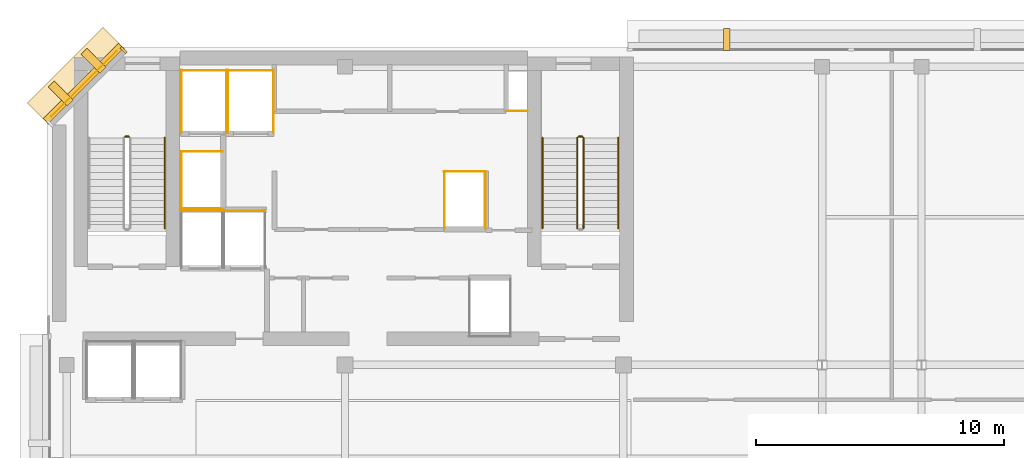
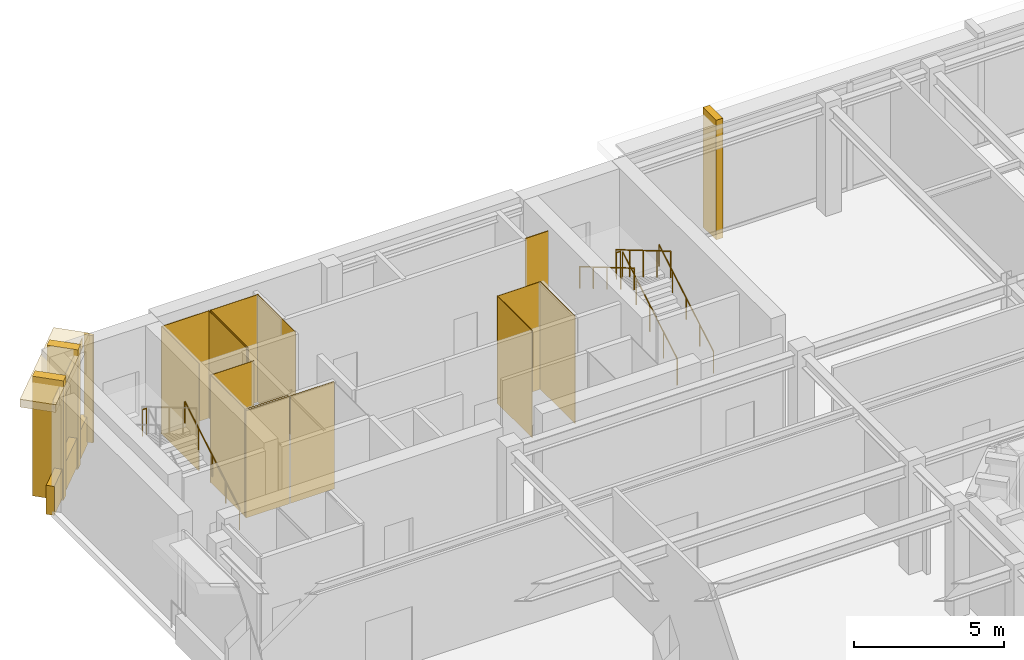
# One storey, part 10 of 11: 22 coverings, 7 railings.
"""IFC4 building model written with IfcOpenShell, lengths in metres."""

from ifc_helpers import new_model, si_unit, direction, frame, origin, origin_2d, place, context, subcontext, project, spatial, polyline, rectangle, circle, outline, extrude, material, layer, layer_set, type_object, element, save


model = new_model("IFC4")

# Units and contexts
model_context = context("Model", 3, precision=1e-05, world=origin(), true_north=direction((0.0, 1.0)))
body_context = subcontext(model_context, "Body", "Model", "MODEL_VIEW")
ifc_project = project(units=[si_unit("LENGTHUNIT", "METRE"), si_unit("AREAUNIT", "SQUARE_METRE"), si_unit("VOLUMEUNIT", "CUBIC_METRE"), si_unit("PLANEANGLEUNIT", "RADIAN"), si_unit("MASSUNIT", "GRAM", prefix="KILO")], contexts=[model_context])

# Site, building, storey
site_placement = place(None, origin())
site = spatial("IfcSite", under=ifc_project, at=site_placement, CompositionType="ELEMENT")
building_placement = place(site_placement, origin())
building = spatial("IfcBuilding", under=site, at=building_placement, Name="Kefirva Bronze Tower", CompositionType="ELEMENT")
storey_placement = place(building_placement, frame((0.0, 0.0, 347.489990234375)))
storey = spatial("IfcBuildingStorey", under=building, at=storey_placement, Name="L85", CompositionType="ELEMENT", Elevation=347.489990234375)

# Coverings
ifc_material_1 = material(Name="Bronze anodised aluminium", Category="aluminium")
ifc_layer_1 = layer(ifc_material_1, 0.02001953125, Name="Bronze anodised aluminium")
ifc_layer_set_1 = layer_set([ifc_layer_1], Name="Bronze anodised aluminium")
covering_type_1 = type_object("IfcCoveringType", Name="Anodised Bronze Spandrel Cladding 20mm", PredefinedType="CLADDING", material=ifc_layer_set_1)
covering_1_placement = place(storey_placement, frame((1.492919921875, 44.507080078125, 3.949951171875), z_axis=(0.0, 0.0, 1.0), x_axis=(-0.707106781187, -0.707106781187, 0.0)))
element("IfcCovering", 1, at=covering_1_placement, inside=storey, type_object=covering_type_1, Name="L85 Bronze Spandrel Cladding 7", PredefinedType="CLADDING", context=body_context, shape_type="SweptSolid", body=[
    extrude(rectangle(XDim=3.719482421875, YDim=0.02001953125, at=origin_2d()), origin(), (0.0, 0.0, 1.0), 0.39990234375),
])
covering_2_placement = place(storey_placement, frame((3.08837890625, 45.862060546875, 0.0), z_axis=(0.0, 0.0, 1.0), x_axis=(-0.707106781187, -0.707106781187, 0.0)))
element("IfcCovering", 2, at=covering_2_placement, inside=storey, type_object=covering_type_1, Name="L85 Facade Joint Closure Panel 7S", PredefinedType="CLADDING", context=body_context, shape_type="SweptSolid", body=[
    extrude(rectangle(XDim=0.10009765625, YDim=0.320068359375, at=origin_2d()), origin(), (0.0, 0.0, 1.0), 4.3701171875),
])
covering_3_placement = place(storey_placement, frame((1.4716796875, 44.5283203125, -0.16015625), z_axis=(0.0, 0.0, 1.0), x_axis=(-0.707106781187, -0.707106781187, 0.0)))
element("IfcCovering", 3, at=covering_3_placement, inside=storey, type_object=covering_type_1, Name="L85 Streamline Horizontal Spandrel Band 9", PredefinedType="CLADDING", context=body_context, shape_type="SweptSolid", body=[
    extrude(rectangle(XDim=4.28271484375, YDim=0.280029296875, at=origin_2d()), origin(), (0.0, 0.0, 1.0), 1.179931640625),
])
covering_4_placement = place(storey_placement, origin())
element("IfcCovering", 4, at=covering_4_placement, inside=storey, type_object=covering_type_1, Name="L85 Lift FF1 Hoistway Liner N", PredefinedType="CLADDING", context=body_context, shape_type="SweptSolid", body=[
    extrude(outline(polyline([(5.39990234375, 39.389892578125), (7.080078125, 39.389892578125), (7.080078125, 39.409912109375), (5.39990234375, 39.409912109375), (5.39990234375, 39.389892578125)])), origin(), (0.0, 0.0, 1.0), 4.3701171875),
])
covering_5_placement = place(storey_placement, origin())
element("IfcCovering", 5, at=covering_5_placement, inside=storey, type_object=covering_type_1, Name="L85 Lift FF2 Hoistway Liner N", PredefinedType="CLADDING", context=body_context, shape_type="SweptSolid", body=[
    extrude(outline(polyline([(7.1201171875, 39.389892578125), (8.800048828125, 39.389892578125), (8.800048828125, 39.409912109375), (7.1201171875, 39.409912109375), (7.1201171875, 39.389892578125)])), origin(), (0.0, 0.0, 1.0), 4.3701171875),
])
covering_6_placement = place(storey_placement, origin())
element("IfcCovering", 6, at=covering_6_placement, inside=storey, type_object=covering_type_1, Name="L85 Lift SV1 Hoistway Liner N", PredefinedType="CLADDING", context=body_context, shape_type="SweptSolid", body=[
    extrude(outline(polyline([(5.39990234375, 45.0400390625), (7.260009765625, 45.0400390625), (7.260009765625, 45.06005859375), (5.39990234375, 45.06005859375), (5.39990234375, 45.0400390625)])), origin(), (0.0, 0.0, 1.0), 4.3701171875),
])
covering_7_placement = place(storey_placement, origin())
element("IfcCovering", 7, at=covering_7_placement, inside=storey, type_object=covering_type_1, Name="L85 Lift SV1 Hoistway Liner W", PredefinedType="CLADDING", context=body_context, shape_type="SweptSolid", body=[
    extrude(outline(polyline([(5.409912109375, 42.530029296875), (5.429931640625, 42.530029296875), (5.429931640625, 45.070068359375), (5.409912109375, 45.070068359375), (5.409912109375, 42.530029296875)])), origin(), (0.0, 0.0, 1.0), 4.3701171875),
])
covering_8_placement = place(storey_placement, origin())
element("IfcCovering", 8, at=covering_8_placement, inside=storey, type_object=covering_type_1, Name="L85 Lift SV1 Hoistway Liner E", PredefinedType="CLADDING", context=body_context, shape_type="SweptSolid", body=[
    extrude(outline(polyline([(7.22998046875, 42.530029296875), (7.25, 42.530029296875), (7.25, 45.070068359375), (7.22998046875, 45.070068359375), (7.22998046875, 42.530029296875)])), origin(), (0.0, 0.0, 1.0), 4.3701171875),
])
covering_9_placement = place(storey_placement, origin())
element("IfcCovering", 9, at=covering_9_placement, inside=storey, type_object=covering_type_1, Name="L85 Lift SV2 Hoistway Liner N", PredefinedType="CLADDING", context=body_context, shape_type="SweptSolid", body=[
    extrude(outline(polyline([(7.280029296875, 45.0400390625), (9.139892578125, 45.0400390625), (9.139892578125, 45.06005859375), (7.280029296875, 45.06005859375), (7.280029296875, 45.0400390625)])), origin(), (0.0, 0.0, 1.0), 4.3701171875),
])
covering_10_placement = place(storey_placement, origin())
element("IfcCovering", 10, at=covering_10_placement, inside=storey, type_object=covering_type_1, Name="L85 Lift SV2 Hoistway Liner W", PredefinedType="CLADDING", context=body_context, shape_type="SweptSolid", body=[
    extrude(outline(polyline([(7.2900390625, 42.530029296875), (7.31005859375, 42.530029296875), (7.31005859375, 45.070068359375), (7.2900390625, 45.070068359375), (7.2900390625, 42.530029296875)])), origin(), (0.0, 0.0, 1.0), 4.3701171875),
])
covering_11_placement = place(storey_placement, origin())
element("IfcCovering", 11, at=covering_11_placement, inside=storey, type_object=covering_type_1, Name="L85 Lift SV2 Hoistway Liner E", PredefinedType="CLADDING", context=body_context, shape_type="SweptSolid", body=[
    extrude(outline(polyline([(9.110107421875, 42.530029296875), (9.1298828125, 42.530029296875), (9.1298828125, 45.070068359375), (9.110107421875, 45.070068359375), (9.110107421875, 42.530029296875)])), origin(), (0.0, 0.0, 1.0), 4.3701171875),
])
covering_12_placement = place(storey_placement, origin())
element("IfcCovering", 12, at=covering_12_placement, inside=storey, type_object=covering_type_1, Name="L85 Lift HP2 Hoistway Liner N", PredefinedType="CLADDING", context=body_context, shape_type="SweptSolid", body=[
    extrude(outline(polyline([(15.97998046875, 40.969970703125), (17.669921875, 40.969970703125), (17.669921875, 40.989990234375), (15.97998046875, 40.989990234375), (15.97998046875, 40.969970703125)])), origin(), (0.0, 0.0, 1.0), 4.3701171875),
])
covering_13_placement = place(storey_placement, origin())
element("IfcCovering", 13, at=covering_13_placement, inside=storey, type_object=covering_type_1, Name="L85 Lift HP2 Hoistway Liner W", PredefinedType="CLADDING", context=body_context, shape_type="SweptSolid", body=[
    extrude(outline(polyline([(15.989990234375, 38.659912109375), (16.010009765625, 38.659912109375), (16.010009765625, 41.0), (15.989990234375, 41.0), (15.989990234375, 38.659912109375)])), origin(), (0.0, 0.0, 1.0), 4.3701171875),
])
covering_14_placement = place(storey_placement, origin())
element("IfcCovering", 14, at=covering_14_placement, inside=storey, type_object=covering_type_1, Name="L85 Lift HP2 Hoistway Liner E", PredefinedType="CLADDING", context=body_context, shape_type="SweptSolid", body=[
    extrude(outline(polyline([(17.639892578125, 38.659912109375), (17.659912109375, 38.659912109375), (17.659912109375, 41.0), (17.639892578125, 41.0), (17.639892578125, 38.659912109375)])), origin(), (0.0, 0.0, 1.0), 4.3701171875),
])
covering_15_placement = place(storey_placement, origin())
element("IfcCovering", 15, at=covering_15_placement, inside=storey, type_object=covering_type_1, Name="L85 Lift HP3 Hoistway Liner N", PredefinedType="CLADDING", context=body_context, shape_type="SweptSolid", body=[
    extrude(outline(polyline([(5.39990234375, 41.77001953125), (7.080078125, 41.77001953125), (7.080078125, 41.7900390625), (5.39990234375, 41.7900390625), (5.39990234375, 41.77001953125)])), origin(), (0.0, 0.0, 1.0), 4.3701171875),
])
covering_16_placement = place(storey_placement, origin())
element("IfcCovering", 16, at=covering_16_placement, inside=storey, type_object=covering_type_1, Name="L85 Lift HP3 Hoistway Liner S", PredefinedType="CLADDING", context=body_context, shape_type="SweptSolid", body=[
    extrude(outline(polyline([(5.39990234375, 39.469970703125), (7.080078125, 39.469970703125), (7.080078125, 39.489990234375), (5.39990234375, 39.489990234375), (5.39990234375, 39.469970703125)])), origin(), (0.0, 0.0, 1.0), 4.3701171875),
])
covering_17_placement = place(storey_placement, origin())
element("IfcCovering", 17, at=covering_17_placement, inside=storey, type_object=covering_type_1, Name="L85 Lift HP3 Hoistway Liner W", PredefinedType="CLADDING", context=body_context, shape_type="SweptSolid", body=[
    extrude(outline(polyline([(5.409912109375, 39.4599609375), (5.429931640625, 39.4599609375), (5.429931640625, 41.800048828125), (5.409912109375, 41.800048828125), (5.409912109375, 39.4599609375)])), origin(), (0.0, 0.0, 1.0), 4.3701171875),
])
covering_18_placement = place(storey_placement, origin())
element("IfcCovering", 18, at=covering_18_placement, inside=storey, type_object=covering_type_1, Name="L85 Core MEP Riser Shaft Liner South", PredefinedType="CLADDING", context=body_context, shape_type="SweptSolid", body=[
    extrude(outline(polyline([(18.47998046875, 43.39990234375), (19.360107421875, 43.39990234375), (19.360107421875, 43.429931640625), (18.47998046875, 43.429931640625), (18.47998046875, 43.39990234375)])), origin(), (0.0, 0.0, 1.0), 4.3701171875),
])

# Railings
ifc_material_2 = material(Name="Stainless steel 316", Category="steel")
railing_type_1 = type_object("IfcRailingType", Name="Interior Stair Guardrail 1100mm", PredefinedType="GUARDRAIL", material=ifc_material_2)
railing_1_placement = place(storey_placement, frame((3.300048828125, 42.389892578125, 2.31005859375)))
element("IfcRailing", 19, at=railing_1_placement, inside=storey, type_object=railing_type_1, Name="L85 ST-1 stair guard 2", PredefinedType="GUARDRAIL", context=body_context, shape_type="SweptSolid", body=[
    extrude(circle(Radius=0.02392578125, at=origin_2d()), frame((0.0, 0.0, 1.076171875), z_axis=(-1.0, 0.0, 0.0), x_axis=(0.0, -1.0, 0.0)), (0.0, 0.0, 1.0), 0.150146484375),
    extrude(circle(Radius=0.02099609375, at=origin_2d()), origin(), (0.0, 0.0, 1.0), 1.052001953125),
    extrude(circle(Radius=0.02099609375, at=origin_2d()), frame((-0.150146484375, 0.0, 0.0)), (0.0, 0.0, 1.0), 1.052001953125),
])
railing_2_placement = place(storey_placement, frame((21.60009765625, 38.699951171875, 0.1650390625)))
element("IfcRailing", 20, at=railing_2_placement, inside=storey, type_object=railing_type_1, Name="L85 ST-2 stair guard 1", PredefinedType="GUARDRAIL", context=body_context, shape_type="SweptSolid", body=[
    extrude(circle(Radius=0.02392578125, at=origin_2d()), frame((0.0, 0.0, 1.076171875), z_axis=(0.0, 0.861544779993, 0.507681585313), x_axis=(-1.0, 0.0, 0.0)), (0.0, 0.0, 1.0), 4.22509765625),
    extrude(circle(Radius=0.02099609375, at=origin_2d()), origin(), (0.0, 0.0, 1.0), 1.052001953125),
    extrude(circle(Radius=0.02099609375, at=origin_2d()), frame((0.0, 0.91015625, 0.5361328125)), (0.0, 0.0, 1.0), 1.052001953125),
    extrude(circle(Radius=0.02099609375, at=origin_2d()), frame((0.0, 1.820068359375, 1.072509765625)), (0.0, 0.0, 1.0), 1.052001953125),
    extrude(circle(Radius=0.02099609375, at=origin_2d()), frame((0.0, 2.72998046875, 1.60888671875)), (0.0, 0.0, 1.0), 1.052001953125),
    extrude(circle(Radius=0.02099609375, at=origin_2d()), frame((0.0, 3.64013671875, 2.14501953125)), (0.0, 0.0, 1.0), 1.052001953125),
])
railing_3_placement = place(storey_placement, frame((21.550048828125, 42.389892578125, 2.31005859375)))
element("IfcRailing", 21, at=railing_3_placement, inside=storey, type_object=railing_type_1, Name="L85 ST-2 stair guard 2", PredefinedType="GUARDRAIL", context=body_context, shape_type="SweptSolid", body=[
    extrude(circle(Radius=0.02392578125, at=origin_2d()), frame((0.0, 0.0, 1.076171875), z_axis=(-1.0, 0.0, 0.0), x_axis=(0.0, -1.0, 0.0)), (0.0, 0.0, 1.0), 0.150146484375),
    extrude(circle(Radius=0.02099609375, at=origin_2d()), origin(), (0.0, 0.0, 1.0), 1.052001953125),
    extrude(circle(Radius=0.02099609375, at=origin_2d()), frame((-0.150146484375, 0.0, 0.0)), (0.0, 0.0, 1.0), 1.052001953125),
])
railing_4_placement = place(storey_placement, frame((21.35009765625, 42.340087890625, 2.47509765625)))
element("IfcRailing", 22, at=railing_4_placement, inside=storey, type_object=railing_type_1, Name="L85 ST-2 stair guard 3", PredefinedType="GUARDRAIL", context=body_context, shape_type="SweptSolid", body=[
    extrude(circle(Radius=0.02392578125, at=origin_2d()), frame((0.0, 0.0, 1.076171875), z_axis=(0.0, -0.861544779993, 0.507681585313), x_axis=(1.0, 0.0, 0.0)), (0.0, 0.0, 1.0), 4.22509765625),
    extrude(circle(Radius=0.02099609375, at=origin_2d()), origin(), (0.0, 0.0, 1.0), 1.052001953125),
    extrude(circle(Radius=0.02099609375, at=origin_2d()), frame((0.0, -0.91015625, 0.5361328125)), (0.0, 0.0, 1.0), 1.052001953125),
    extrude(circle(Radius=0.02099609375, at=origin_2d()), frame((0.0, -1.820068359375, 1.072509765625)), (0.0, 0.0, 1.0), 1.052001953125),
    extrude(circle(Radius=0.02099609375, at=origin_2d()), frame((0.0, -2.72998046875, 1.60888671875)), (0.0, 0.0, 1.0), 1.052001953125),
    extrude(circle(Radius=0.02099609375, at=origin_2d()), frame((0.0, -3.64013671875, 2.14501953125)), (0.0, 0.0, 1.0), 1.052001953125),
])
railing_type_2 = type_object("IfcRailingType", Name="Stair Pitch Handrail 900mm", PredefinedType="HANDRAIL", material=ifc_material_2)
for number, where, name in (
    (23, (4.75, 38.699951171875, 0.1650390625), "L85 ST-1 stair handrail 1"),
    (24, (23.0, 38.699951171875, 0.1650390625), "L85 ST-2 stair handrail 1"),
):
    element("IfcRailing", number, at=place(storey_placement, frame(where)), inside=storey, type_object=railing_type_2, Name=name, PredefinedType="HANDRAIL", context=body_context, shape_type="SweptSolid", body=[
        extrude(circle(Radius=0.02392578125, at=origin_2d()), frame((0.0, 0.0, 0.8759765625), z_axis=(0.0, 0.861544779993, 0.507681585313), x_axis=(-1.0, 0.0, 0.0)), (0.0, 0.0, 1.0), 4.22509765625),
        extrude(circle(Radius=0.02099609375, at=origin_2d()), origin(), (0.0, 0.0, 1.0), 0.851806640625),
        extrude(circle(Radius=0.02099609375, at=origin_2d()), frame((0.0, 0.91015625, 0.5361328125)), (0.0, 0.0, 1.0), 0.851806640625),
        extrude(circle(Radius=0.02099609375, at=origin_2d()), frame((0.0, 1.820068359375, 1.072509765625)), (0.0, 0.0, 1.0), 0.851806640625),
        extrude(circle(Radius=0.02099609375, at=origin_2d()), frame((0.0, 2.72998046875, 1.60888671875)), (0.0, 0.0, 1.0), 0.851806640625),
        extrude(circle(Radius=0.02099609375, at=origin_2d()), frame((0.0, 3.64013671875, 2.14501953125)), (0.0, 0.0, 1.0), 0.851806640625),
    ])
railing_5_placement = place(storey_placement, frame((19.949951171875, 42.340087890625, 2.47509765625)))
element("IfcRailing", 25, at=railing_5_placement, inside=storey, type_object=railing_type_2, Name="L85 ST-2 stair handrail 2", PredefinedType="HANDRAIL", context=body_context, shape_type="SweptSolid", body=[
    extrude(circle(Radius=0.02392578125, at=origin_2d()), frame((0.0, 0.0, 0.8759765625), z_axis=(0.0, -0.861544779993, 0.507681585313), x_axis=(1.0, 0.0, 0.0)), (0.0, 0.0, 1.0), 4.22509765625),
    extrude(circle(Radius=0.02099609375, at=origin_2d()), origin(), (0.0, 0.0, 1.0), 0.851806640625),
    extrude(circle(Radius=0.02099609375, at=origin_2d()), frame((0.0, -0.91015625, 0.5361328125)), (0.0, 0.0, 1.0), 0.851806640625),
    extrude(circle(Radius=0.02099609375, at=origin_2d()), frame((0.0, -1.820068359375, 1.072509765625)), (0.0, 0.0, 1.0), 0.851806640625),
    extrude(circle(Radius=0.02099609375, at=origin_2d()), frame((0.0, -2.72998046875, 1.60888671875)), (0.0, 0.0, 1.0), 0.851806640625),
    extrude(circle(Radius=0.02099609375, at=origin_2d()), frame((0.0, -3.64013671875, 2.14501953125)), (0.0, 0.0, 1.0), 0.851806640625),
])

# Coverings
ifc_layer_2 = layer(ifc_material_1, 0.179931640625, Name="Bronze anodised aluminium")
ifc_layer_set_2 = layer_set([ifc_layer_2], Name="Bronze anodised aluminium")
covering_type_2 = type_object("IfcCoveringType", Name="Streamline Bronze Sunshade Eyebrow Cladding 180mm", PredefinedType="CLADDING", material=ifc_layer_set_2)
covering_19_placement = place(storey_placement, frame((1.1748046875, 44.8251953125, 4.0498046875), z_axis=(0.0, 0.0, 1.0), x_axis=(-0.707106781187, -0.707106781187, 0.0)))
element("IfcCovering", 26, at=covering_19_placement, inside=storey, type_object=covering_type_2, Name="L85 Streamline Bronze Sunshade Eyebrow 9", PredefinedType="CLADDING", context=body_context, shape_type="SweptSolid", body=[
    extrude(rectangle(XDim=4.322509765625, YDim=1.239990234375, at=origin_2d()), origin(), (0.0, 0.0, 1.0), 0.320068359375),
])
ifc_layer_3 = layer(ifc_material_1, 0.260009765625, Name="Bronze anodised aluminium")
ifc_layer_set_3 = layer_set([ifc_layer_3], Name="Bronze anodised aluminium")
covering_type_3 = type_object("IfcCoveringType", Name="Unbroken Bronze Buttress Fin Cladding 260mm", PredefinedType="CLADDING", material=ifc_layer_set_3)
covering_20_placement = place(storey_placement, frame((27.364013671875, 46.300048828125, -0.25), z_axis=(0.0, 0.0, 1.0), x_axis=(-1.0, 0.0, 0.0)))
element("IfcCovering", 27, at=covering_20_placement, inside=storey, type_object=covering_type_3, Name="L85 Unbroken Vertical Bronze Rib Fin 16", PredefinedType="CLADDING", context=body_context, shape_type="SweptSolid", body=[
    extrude(rectangle(XDim=0.260009765625, YDim=0.8798828125, at=origin_2d()), origin(), (0.0, 0.0, 1.0), 4.8701171875),
])
for number, where, z_axis, x_axis, name in (
    (28, (1.877197265625, 45.44287109375, -0.25), (0.0, 0.0, 1.0), (-0.707106781187, -0.707106781187, 0.0), "L85 Chamfered Corner Buttress Fin Cladding 17"),
    (29, (0.55712890625, 44.122802734375, -0.25), (0.0, 0.0, 1.0), (-0.707106781187, -0.707106781187, 0.0), "L85 Chamfered Corner Buttress Fin Cladding 18"),
):
    element("IfcCovering", number, at=place(storey_placement, frame(where, z_axis=z_axis, x_axis=x_axis)), inside=storey, type_object=covering_type_3, Name=name, PredefinedType="CLADDING", context=body_context, shape_type="SweptSolid", body=[
        extrude(rectangle(XDim=0.340087890625, YDim=1.080078125, at=origin_2d()), origin(), (0.0, 0.0, 1.0), 4.8701171875),
    ])

save(model, "model.ifc")
